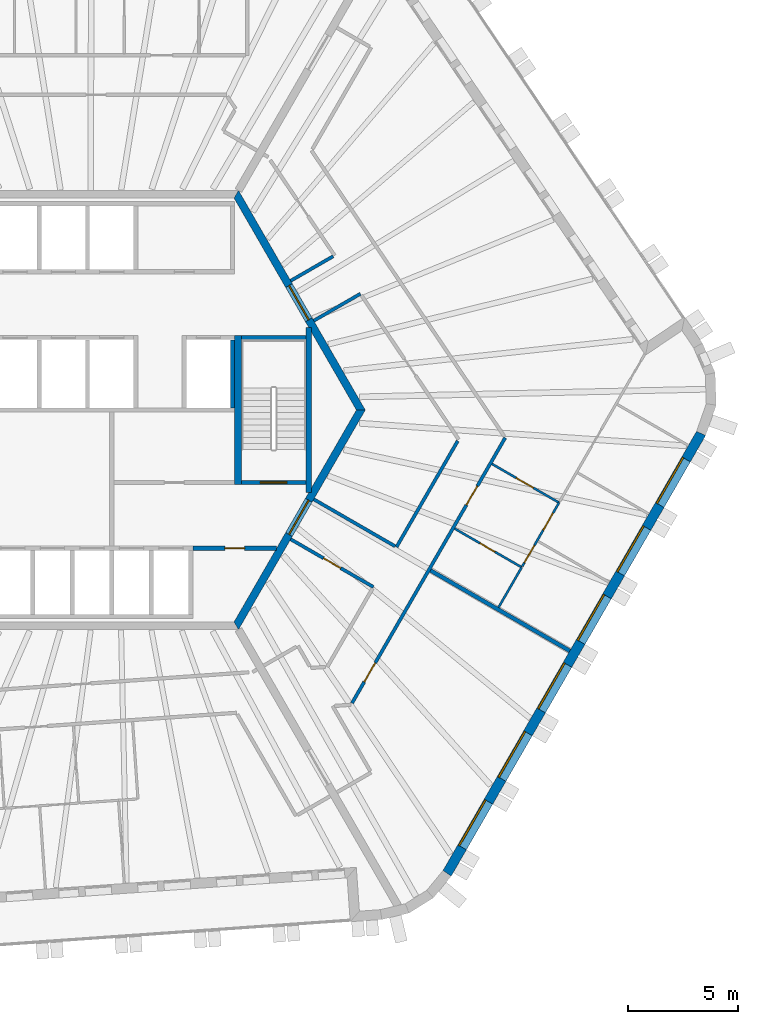
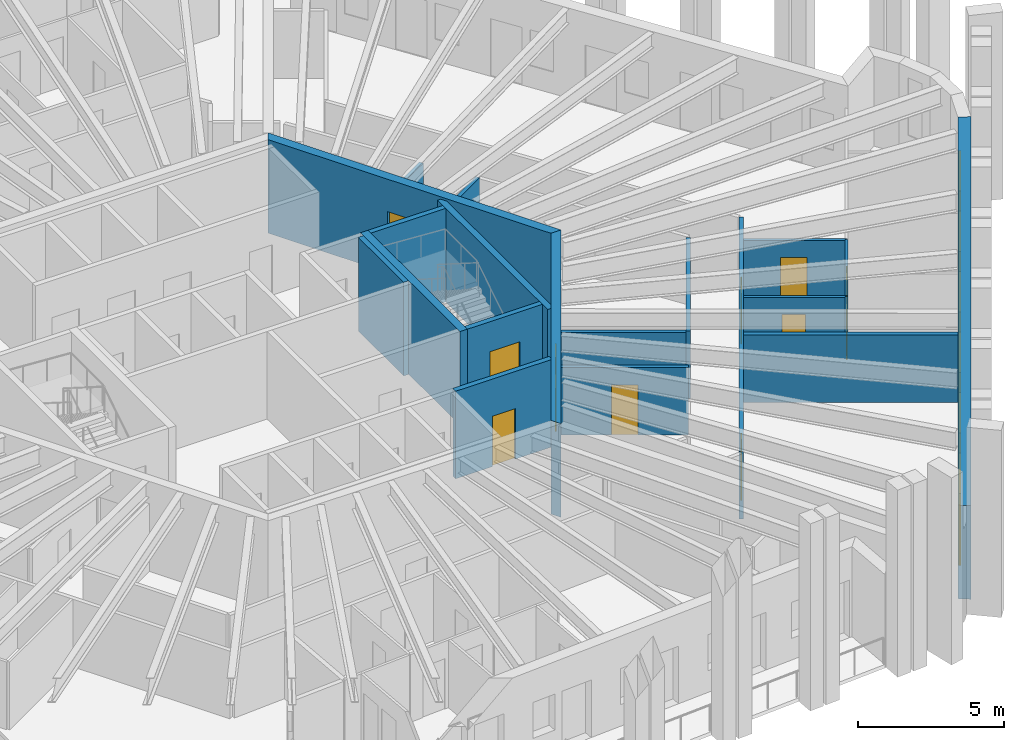
# One storey, part 6 of 12: 20 walls, 11 doors, 6 windows, 17 openings.
"""IFC4 building model written with IfcOpenShell, lengths in metres."""

from ifc_helpers import new_model, si_unit, direction, frame, frame_2d, origin, place, context, subcontext, project, spatial, polyline, rectangle, outline, extrude, material, layer, layer_set, type_object, element, fill, save


model = new_model("IFC4")

# Units and contexts
model_context = context("Model", 3, precision=1e-05, world=origin(), true_north=direction((0.0, 1.0)))
body_context = subcontext(model_context, "Body", "Model", "MODEL_VIEW")
ifc_project = project(units=[si_unit("LENGTHUNIT", "METRE"), si_unit("AREAUNIT", "SQUARE_METRE"), si_unit("VOLUMEUNIT", "CUBIC_METRE"), si_unit("PLANEANGLEUNIT", "RADIAN"), si_unit("MASSUNIT", "GRAM", prefix="KILO")], contexts=[model_context])

# Site, building, storey
site_placement = place(None, origin())
site = spatial("IfcSite", under=ifc_project, at=site_placement, CompositionType="ELEMENT")
building_placement = place(site_placement, origin())
building = spatial("IfcBuilding", under=site, at=building_placement, Name="Tarnside Tower", CompositionType="ELEMENT")
storey_placement = place(building_placement, frame((0.0, 0.0, 361.199951171875)))
storey = spatial("IfcBuildingStorey", under=building, at=storey_placement, Name="L87", CompositionType="ELEMENT", Elevation=361.199951171875)

# Wall, opening, door
ifc_material_1 = material(Name="Gypsum board partition on steel studs", Category="steel")
ifc_layer_1 = layer(ifc_material_1, 0.10009765625)
ifc_layer_set_1 = layer_set([ifc_layer_1], Name="Bathroom wall 100")
wall_type_1 = type_object("IfcWallType", Name="Bathroom wall 100", PredefinedType="PARTITIONING", material=ifc_layer_set_1)
wall_1_placement = place(storey_placement, frame((15.6171875, -5.400390625, 0.0), z_axis=(0.0, 0.0, 1.0), x_axis=(0.866031034943, -0.499990246421, 0.0)))
wall_1 = element("IfcWall", 1, at=wall_1_placement, inside=storey, type_object=wall_type_1, Name="Bathroom wall 28133", PredefinedType="PARTITIONING", context=body_context, shape_type="SweptSolid", body=[
    extrude(rectangle(XDim=3.52490234375, YDim=0.10009765625, at=frame_2d((1.762451171875, 0.0))), origin(), (0.0, 0.0, 1.0), 2.820068359375),
])
opening_1_placement = place(wall_1_placement, frame((1.324951171875, 0.0, 0.0)))
opening_1 = element("IfcOpeningElement", 2, at=opening_1_placement, cuts=wall_1, Name="Opening D-B1", PredefinedType="OPENING", context=body_context, shape_type="SweptSolid", body=[
    extrude(rectangle(XDim=0.800048828125, YDim=2.10009765625, at=frame_2d((0.39990234375, 1.050048828125))), frame((0.0, 0.06005859375, 0.0), z_axis=(0.0, -1.0, 0.0), x_axis=(1.0, 0.0, 0.0)), (0.0, 0.0, 1.0), 0.1201171875),
])
ifc_material_2 = material(Name="Timber door leaf", Category="wood")
door_type_1 = type_object("IfcDoorType", Name="Bathroom door 800", OperationType="NOTDEFINED", PredefinedType="DOOR", material=ifc_material_2)
door_1_placement = place(opening_1_placement, origin())
door_1 = element("IfcDoor", 3, at=door_1_placement, inside=storey, type_object=door_type_1, Name="Bathroom door 28054", OperationType="SINGLE_SWING_RIGHT", OverallHeight=2.10009765625, OverallWidth=0.800048828125, PredefinedType="DOOR", context=body_context, shape_type="SweptSolid", body=[
    extrude(rectangle(XDim=0.800048828125, YDim=2.10009765625, at=frame_2d((0.39990234375, 1.050048828125))), frame((0.0, 0.02490234375, 0.0), z_axis=(0.0, -1.0, 0.0), x_axis=(1.0, 0.0, 0.0)), (0.0, 0.0, 1.0), 0.050048828125),
])
fill(opening_1, door_1)

# Wall
wall_2_placement = place(storey_placement, frame((17.61474609375, -8.990234375, 0.0), z_axis=(0.0, 0.0, 1.0), x_axis=(0.500042633337, 0.866000788017, 0.0)))
element("IfcWall", 4, at=wall_2_placement, inside=storey, type_object=wall_type_1, Name="Bathroom wall 28136", PredefinedType="PARTITIONING", context=body_context, shape_type="SweptSolid", body=[
    extrude(rectangle(XDim=2.112060546875, YDim=0.10009765625, at=frame_2d((1.05615234375, 0.0))), origin(), (0.0, 0.0, 1.0), 2.820068359375),
])

# Wall, opening, door
ifc_material_3 = material(Name="Concrete C40/50", Category="concrete")
ifc_layer_2 = layer(ifc_material_3, 0.199951171875)
ifc_layer_set_2 = layer_set([ifc_layer_2], Name="Core room partition 200 C40/50")
wall_type_2 = type_object("IfcWallType", Name="Core room partition 200 C40/50", PredefinedType="PARTITIONING", material=ifc_layer_set_2)
wall_3_placement = place(storey_placement, frame((3.699951171875, -6.300048828125, 0.0), z_axis=(0.0, 0.0, 1.0), x_axis=(1.0, 0.0, 0.0)))
wall_3 = element("IfcWall", 5, at=wall_3_placement, inside=storey, type_object=wall_type_2, Name="L87 core partition R4X", PredefinedType="PARTITIONING", context=body_context, shape_type="SweptSolid", body=[
    extrude(rectangle(XDim=3.8056640625, YDim=0.199951171875, at=frame_2d((1.90283203125, 0.0))), origin(), (0.0, 0.0, 1.0), 3.650146484375),
])
opening_2_placement = place(wall_3_placement, frame((1.452880859375, 0.0, 0.0)))
opening_2 = element("IfcOpeningElement", 6, at=opening_2_placement, cuts=wall_3, Name="Opening CD-room", PredefinedType="OPENING", context=body_context, shape_type="SweptSolid", body=[
    extrude(rectangle(XDim=0.89990234375, YDim=2.10009765625, at=frame_2d((0.449951171875, 1.050048828125))), frame((0.0, 0.10986328125, 0.0), z_axis=(0.0, -1.0, 0.0), x_axis=(1.0, 0.0, 0.0)), (0.0, 0.0, 1.0), 0.219970703125),
])
ifc_material_4 = material(Name="Steel fire door", Category="steel")
door_type_2 = type_object("IfcDoorType", Name="Room door FD60 900x2100", OperationType="NOTDEFINED", PredefinedType="DOOR", material=ifc_material_4)
door_2_placement = place(opening_2_placement, origin())
door_2 = element("IfcDoor", 7, at=door_2_placement, inside=storey, type_object=door_type_2, Name="L87 core room door RX", OperationType="SINGLE_SWING_LEFT", OverallHeight=2.10009765625, OverallWidth=0.89990234375, PredefinedType="DOOR", context=body_context, shape_type="SweptSolid", body=[
    extrude(rectangle(XDim=0.89990234375, YDim=2.10009765625, at=frame_2d((0.449951171875, 1.050048828125))), frame((0.0, 0.02490234375, 0.0), z_axis=(0.0, -1.0, 0.0), x_axis=(1.0, 0.0, 0.0)), (0.0, 0.0, 1.0), 0.050048828125),
])
fill(opening_2, door_2)

ifc_material_5 = material(Name="Concrete C50/60", Category="concrete")
ifc_layer_3 = layer(ifc_material_5, 0.35009765625)
ifc_layer_set_3 = layer_set([ifc_layer_3], Name="Core wall Z4 350 C50/60")
wall_type_3 = type_object("IfcWallType", Name="Core wall Z4 350 C50/60", PredefinedType="SHEAR", material=ifc_layer_set_3)
wall_4_placement = place(storey_placement, frame((5.672607421875, -9.824951171875, -0.14990234375), z_axis=(0.0, 0.0, 1.0), x_axis=(0.499995046907, 0.866028263435, 0.0)))
wall_4 = element("IfcWall", 8, at=wall_4_placement, inside=storey, type_object=wall_type_3, Name="L87 core wall face 5", PredefinedType="SHEAR", context=body_context, shape_type="SweptSolid", body=[
    extrude(outline(polyline([(-0.10107421875, -0.175048828125), (11.44580078125, -0.175048828125), (11.24365234375, 0.175048828125), (0.10107421875, 0.175048828125), (-0.10107421875, -0.175048828125)])), origin(), (0.0, 0.0, 1.0), 3.89990234375),
])
opening_3_placement = place(wall_4_placement, frame((4.80126953125, 0.0, 0.14990234375)))
opening_3 = element("IfcOpeningElement", 9, at=opening_3_placement, cuts=wall_4, Name="Opening CD-FFL", PredefinedType="OPENING", context=body_context, shape_type="SweptSolid", body=[
    extrude(rectangle(XDim=1.800048828125, YDim=2.39990234375, at=frame_2d((0.89990234375, 1.199951171875))), frame((0.0, 0.18505859375, 0.0), z_axis=(0.0, -1.0, 0.0), x_axis=(1.0, 0.0, 0.0)), (0.0, 0.0, 1.0), 0.3701171875),
])
door_type_3 = type_object("IfcDoorType", Name="Firefighting lobby double door FD60S 1800x2400", OperationType="NOTDEFINED", PredefinedType="DOOR", material=ifc_material_4)
door_3_placement = place(opening_3_placement, origin())
door_3 = element("IfcDoor", 10, at=door_3_placement, inside=storey, type_object=door_type_3, Name="L87 core door P4", OperationType="DOUBLE_DOOR_SINGLE_SWING", OverallHeight=2.39990234375, OverallWidth=1.800048828125, PredefinedType="DOOR", context=body_context, shape_type="SweptSolid", body=[
    extrude(rectangle(XDim=1.800048828125, YDim=2.39990234375, at=frame_2d((0.89990234375, 1.199951171875))), frame((0.0, 0.02490234375, 0.0), z_axis=(0.0, -1.0, 0.0), x_axis=(1.0, 0.0, 0.0)), (0.0, 0.0, 1.0), 0.050048828125),
])
fill(opening_3, door_3)

wall_5_placement = place(storey_placement, frame((11.344970703125, 0.0, -0.14990234375), z_axis=(0.0, 0.0, 1.0), x_axis=(-0.499995046907, 0.866028263435, 0.0)))
wall_5 = element("IfcWall", 11, at=wall_5_placement, inside=storey, type_object=wall_type_3, Name="L87 core wall face 6", PredefinedType="SHEAR", context=body_context, shape_type="SweptSolid", body=[
    extrude(outline(polyline([(-0.10107421875, -0.175048828125), (11.44580078125, -0.175048828125), (11.24365234375, 0.175048828125), (0.10107421875, 0.175048828125), (-0.10107421875, -0.175048828125)])), origin(), (0.0, 0.0, 1.0), 3.89990234375),
])
opening_4_placement = place(wall_5_placement, frame((4.74365234375, 0.0, 0.14990234375)))
opening_4 = element("IfcOpeningElement", 12, at=opening_4_placement, cuts=wall_5, Name="Opening CD-LOB", PredefinedType="OPENING", context=body_context, shape_type="SweptSolid", body=[
    extrude(rectangle(XDim=1.800048828125, YDim=2.39990234375, at=frame_2d((0.89990234375, 1.199951171875))), frame((0.0, 0.18505859375, 0.0), z_axis=(0.0, -1.0, 0.0), x_axis=(1.0, 0.0, 0.0)), (0.0, 0.0, 1.0), 0.3701171875),
])
door_type_4 = type_object("IfcDoorType", Name="Lobby double door FD30S 1800x2400", OperationType="NOTDEFINED", PredefinedType="DOOR", material=ifc_material_4)
door_4_placement = place(opening_4_placement, origin())
door_4 = element("IfcDoor", 13, at=door_4_placement, inside=storey, type_object=door_type_4, Name="L87 core door P2", OperationType="DOUBLE_DOOR_SINGLE_SWING", OverallHeight=2.39990234375, OverallWidth=1.800048828125, PredefinedType="DOOR", context=body_context, shape_type="SweptSolid", body=[
    extrude(rectangle(XDim=1.800048828125, YDim=2.39990234375, at=frame_2d((0.89990234375, 1.199951171875))), frame((0.0, 0.02490234375, 0.0), z_axis=(0.0, -1.0, 0.0), x_axis=(1.0, 0.0, 0.0)), (0.0, 0.0, 1.0), 0.050048828125),
])
fill(opening_4, door_4)

# Wall, openings, doors
ifc_layer_4 = layer(ifc_material_1, 0.14990234375)
ifc_layer_set_4 = layer_set([ifc_layer_4], Name="Corridor wall 150 EI 60")
wall_type_4 = type_object("IfcWallType", Name="Corridor wall 150 EI 60", PredefinedType="PARTITIONING", material=ifc_layer_set_4)
wall_6_placement = place(storey_placement, frame((10.944091796875, -13.343994140625, 0.0), z_axis=(0.0, 0.0, 1.0), x_axis=(0.500003210163, 0.866023550388, 0.0)))
wall_6 = element("IfcWall", 14, at=wall_6_placement, inside=storey, type_object=wall_type_4, Name="Corridor wall 28052", PredefinedType="PARTITIONING", context=body_context, shape_type="SweptSolid", body=[
    extrude(rectangle(XDim=13.95068359375, YDim=0.14990234375, at=frame_2d((6.975341796875, 0.0))), origin(), (0.0, 0.0, 1.0), 2.820068359375),
])
opening_5_placement = place(wall_6_placement, frame((1.11572265625, 0.0, 0.0)))
opening_5 = element("IfcOpeningElement", 15, at=opening_5_placement, cuts=wall_6, Name="Opening D-E1", PredefinedType="OPENING", context=body_context, shape_type="SweptSolid", body=[
    extrude(rectangle(XDim=1.0, YDim=2.10009765625, at=frame_2d((0.5, 1.050048828125))), frame((0.0, 0.0849609375, 0.0), z_axis=(0.0, -1.0, 0.0), x_axis=(1.0, 0.0, 0.0)), (0.0, 0.0, 1.0), 0.169921875),
])
opening_6_placement = place(wall_6_placement, frame((10.415771484375, 0.0, 0.0)))
opening_6 = element("IfcOpeningElement", 16, at=opening_6_placement, cuts=wall_6, Name="Opening D-E1", PredefinedType="OPENING", context=body_context, shape_type="SweptSolid", body=[
    extrude(rectangle(XDim=1.0, YDim=2.10009765625, at=frame_2d((0.5, 1.050048828125))), frame((0.0, 0.0849609375, 0.0), z_axis=(0.0, -1.0, 0.0), x_axis=(1.0, 0.0, 0.0)), (0.0, 0.0, 1.0), 0.169921875),
])
door_type_5 = type_object("IfcDoorType", Name="Unit entrance door 1000 FD30S", OperationType="NOTDEFINED", PredefinedType="DOOR", material=ifc_material_2)
door_5_placement = place(opening_5_placement, origin())
door_5 = element("IfcDoor", 17, at=door_5_placement, inside=storey, type_object=door_type_5, Name="Unit door 28052", OperationType="SINGLE_SWING_RIGHT", OverallHeight=2.10009765625, OverallWidth=1.0, PredefinedType="DOOR", context=body_context, shape_type="SweptSolid", body=[
    extrude(rectangle(XDim=1.0, YDim=2.10009765625, at=frame_2d((0.5, 1.050048828125))), frame((0.0, 0.02490234375, 0.0), z_axis=(0.0, -1.0, 0.0), x_axis=(1.0, 0.0, 0.0)), (0.0, 0.0, 1.0), 0.050048828125),
])
fill(opening_5, door_5)
door_6_placement = place(opening_6_placement, origin())
door_6 = element("IfcDoor", 18, at=door_6_placement, inside=storey, type_object=door_type_5, Name="Unit door 28053", OperationType="SINGLE_SWING_RIGHT", OverallHeight=2.10009765625, OverallWidth=1.0, PredefinedType="DOOR", context=body_context, shape_type="SweptSolid", body=[
    extrude(rectangle(XDim=1.0, YDim=2.10009765625, at=frame_2d((0.5, 1.050048828125))), frame((0.0, 0.02490234375, 0.0), z_axis=(0.0, -1.0, 0.0), x_axis=(1.0, 0.0, 0.0)), (0.0, 0.0, 1.0), 0.050048828125),
])
fill(opening_6, door_6)

# Walls
wall_7_placement = place(storey_placement, frame((9.19970703125, 4.065673828125, 0.0), z_axis=(0.0, 0.0, 1.0), x_axis=(0.866038240688, 0.499977765172, 0.0)))
element("IfcWall", 19, at=wall_7_placement, inside=storey, type_object=wall_type_4, Name="Corridor wall 28059", PredefinedType="PARTITIONING", context=body_context, shape_type="SweptSolid", body=[
    extrude(rectangle(XDim=2.45556640625, YDim=0.14990234375, at=frame_2d((1.227783203125, 0.0))), origin(), (0.0, 0.0, 1.0), 2.820068359375),
])
wall_8_placement = place(storey_placement, frame((15.756591796875, -1.40869140625, 0.0), z_axis=(0.0, 0.0, 1.0), x_axis=(-0.500002739321, -0.866023822231, 0.0)))
element("IfcWall", 20, at=wall_8_placement, inside=storey, type_object=wall_type_4, Name="Corridor wall 28061", PredefinedType="PARTITIONING", context=body_context, shape_type="SweptSolid", body=[
    extrude(rectangle(XDim=5.57958984375, YDim=0.14990234375, at=frame_2d((2.789794921875, 0.0))), origin(), (0.0, 0.0, 1.0), 2.820068359375),
])
wall_9_placement = place(storey_placement, frame((12.90185546875, -6.203125, 0.0), z_axis=(0.0, 0.0, 1.0), x_axis=(-0.866023907196, 0.500002592159, 0.0)))
element("IfcWall", 21, at=wall_9_placement, inside=storey, type_object=wall_type_4, Name="Corridor wall 28062", PredefinedType="PARTITIONING", context=body_context, shape_type="SweptSolid", body=[
    extrude(rectangle(XDim=4.27490234375, YDim=0.14990234375, at=frame_2d((2.137451171875, 0.0))), origin(), (0.0, 0.0, 1.0), 2.820068359375),
])

# Wall, opening, door
wall_10_placement = place(storey_placement, frame((8.149658203125, -5.88427734375, 0.0), z_axis=(0.0, 0.0, 1.0), x_axis=(0.866027639635, -0.499996127374, 0.0)))
wall_10 = element("IfcWall", 22, at=wall_10_placement, inside=storey, type_object=wall_type_4, Name="Corridor wall 28063", PredefinedType="PARTITIONING", context=body_context, shape_type="SweptSolid", body=[
    extrude(rectangle(XDim=4.35009765625, YDim=0.14990234375, at=frame_2d((2.175048828125, 0.0))), origin(), (0.0, 0.0, 1.0), 2.820068359375),
])
opening_7_placement = place(wall_10_placement, frame((1.72509765625, 0.0, 0.0)))
opening_7 = element("IfcOpeningElement", 23, at=opening_7_placement, cuts=wall_10, Name="Opening D-S1", PredefinedType="OPENING", context=body_context, shape_type="SweptSolid", body=[
    extrude(rectangle(XDim=0.89990234375, YDim=2.10009765625, at=frame_2d((0.449951171875, 1.050048828125))), frame((0.0, 0.0849609375, 0.0), z_axis=(0.0, -1.0, 0.0), x_axis=(1.0, 0.0, 0.0)), (0.0, 0.0, 1.0), 0.169921875),
])
door_type_6 = type_object("IfcDoorType", Name="Service room door 900 FD30S", OperationType="NOTDEFINED", PredefinedType="DOOR", material=ifc_material_2)
door_7_placement = place(opening_7_placement, origin())
door_7 = element("IfcDoor", 24, at=door_7_placement, inside=storey, type_object=door_type_6, Name="Service door 28068", OperationType="SINGLE_SWING_LEFT", OverallHeight=2.10009765625, OverallWidth=0.89990234375, PredefinedType="DOOR", context=body_context, shape_type="SweptSolid", body=[
    extrude(rectangle(XDim=0.89990234375, YDim=2.10009765625, at=frame_2d((0.449951171875, 1.050048828125))), frame((0.0, 0.02490234375, 0.0), z_axis=(0.0, -1.0, 0.0), x_axis=(1.0, 0.0, 0.0)), (0.0, 0.0, 1.0), 0.050048828125),
])
fill(opening_7, door_7)

# Walls
wall_11_placement = place(storey_placement, frame((10.083984375, 7.001220703125, 0.0), z_axis=(0.0, 0.0, 1.0), x_axis=(-0.865994457699, -0.500053596362, 0.0)))
element("IfcWall", 25, at=wall_11_placement, inside=storey, type_object=wall_type_4, Name="Corridor wall 28070", PredefinedType="PARTITIONING", context=body_context, shape_type="SweptSolid", body=[
    extrude(rectangle(XDim=2.233642578125, YDim=0.14990234375, at=frame_2d((1.11669921875, 0.0))), origin(), (0.0, 0.0, 1.0), 2.820068359375),
])
ifc_layer_5 = layer(ifc_material_1, 0.179931640625)
ifc_layer_set_5 = layer_set([ifc_layer_5], Name="Demising wall 180 EI 60")
wall_type_5 = type_object("IfcWallType", Name="Demising wall 180 EI 60", PredefinedType="PARTITIONING", material=ifc_layer_set_5)
wall_12_placement = place(storey_placement, frame((20.860595703125, -10.96826171875, 0.0), z_axis=(0.0, 0.0, 1.0), x_axis=(-0.866015186145, 0.500017697054, 0.0)))
element("IfcWall", 26, at=wall_12_placement, inside=storey, type_object=wall_type_5, Name="Demising wall 28127", PredefinedType="PARTITIONING", context=body_context, shape_type="SweptSolid", body=[
    extrude(rectangle(XDim=7.324951171875, YDim=0.179931640625, at=frame_2d((3.66259765625, 0.0))), origin(), (0.0, 0.0, 1.0), 2.820068359375),
])
ifc_layer_6 = layer(ifc_material_3, 0.199951171875)
ifc_layer_set_6 = layer_set([ifc_layer_6], Name="Lift shaft wall 200 C40/50")
wall_type_6 = type_object("IfcWallType", Name="Lift shaft wall 200 C40/50", PredefinedType="SHEAR", material=ifc_layer_set_6)
wall_13_placement = place(storey_placement, frame((5.5, 0.10009765625, -0.25), z_axis=(0.0, 0.0, 1.0), x_axis=(0.0, 1.0, 0.0)))
element("IfcWall", 27, at=wall_13_placement, inside=storey, type_object=wall_type_6, Name="L87 lift shaft partition R26", PredefinedType="SHEAR", context=body_context, shape_type="SweptSolid", body=[
    extrude(rectangle(XDim=3.099853515625, YDim=0.199951171875, at=frame_2d((1.5498046875, 0.0))), origin(), (0.0, 0.0, 1.0), 3.900146484375),
])
wall_14_placement = place(storey_placement, frame((5.89990234375, 3.300048828125, -0.25), z_axis=(0.0, 0.0, 1.0), x_axis=(1.0, 0.0, 0.0)))
element("IfcWall", 28, at=wall_14_placement, inside=storey, type_object=wall_type_6, Name="L87 stair 1 enclosure cap wall n", PredefinedType="SHEAR", context=body_context, shape_type="SweptSolid", body=[
    extrude(rectangle(XDim=2.9501953125, YDim=0.199951171875, at=frame_2d((1.47509765625, 0.0))), origin(), (0.0, 0.0, 1.0), 3.900146484375),
])

# Wall, opening, door
wall_15_placement = place(storey_placement, frame((5.89990234375, -3.300048828125, -0.25), z_axis=(0.0, 0.0, 1.0), x_axis=(1.0, 0.0, 0.0)))
wall_15 = element("IfcWall", 29, at=wall_15_placement, inside=storey, type_object=wall_type_6, Name="L87 stair 1 enclosure cap wall s", PredefinedType="SHEAR", context=body_context, shape_type="SweptSolid", body=[
    extrude(rectangle(XDim=2.9501953125, YDim=0.199951171875, at=frame_2d((1.47509765625, 0.0))), origin(), (0.0, 0.0, 1.0), 3.900146484375),
])
opening_8_placement = place(wall_15_placement, frame((0.875, 0.0, 0.25)))
opening_8 = element("IfcOpeningElement", 30, at=opening_8_placement, cuts=wall_15, Name="Opening CD-STR", PredefinedType="OPENING", context=body_context, shape_type="SweptSolid", body=[
    extrude(rectangle(XDim=1.199951171875, YDim=2.39990234375, at=frame_2d((0.60009765625, 1.199951171875))), frame((0.0, 0.10986328125, 0.0), z_axis=(0.0, -1.0, 0.0), x_axis=(1.0, 0.0, 0.0)), (0.0, 0.0, 1.0), 0.219970703125),
])
door_type_7 = type_object("IfcDoorType", Name="Stair door FD60S 1200x2400", OperationType="NOTDEFINED", PredefinedType="DOOR", material=ifc_material_4)
door_8_placement = place(opening_8_placement, origin())
door_8 = element("IfcDoor", 31, at=door_8_placement, inside=storey, type_object=door_type_7, Name="L87 stair 1 door", OperationType="SINGLE_SWING_LEFT", OverallHeight=2.39990234375, OverallWidth=1.199951171875, PredefinedType="DOOR", context=body_context, shape_type="SweptSolid", body=[
    extrude(rectangle(XDim=1.199951171875, YDim=2.39990234375, at=frame_2d((0.60009765625, 1.199951171875))), frame((0.0, 0.02490234375, 0.0), z_axis=(0.0, -1.0, 0.0), x_axis=(1.0, 0.0, 0.0)), (0.0, 0.0, 1.0), 0.050048828125),
])
fill(opening_8, door_8)

ifc_layer_7 = layer(ifc_material_1, 0.10009765625)
ifc_layer_set_7 = layer_set([ifc_layer_7], Name="Partition 100")
wall_type_7 = type_object("IfcWallType", Name="Partition 100", PredefinedType="PARTITIONING", material=ifc_layer_set_7)
wall_16_placement = place(storey_placement, frame((17.317138671875, -2.4560546875, 0.0), z_axis=(0.0, 0.0, 1.0), x_axis=(0.866031034943, -0.499990246421, 0.0)))
wall_16 = element("IfcWall", 32, at=wall_16_placement, inside=storey, type_object=wall_type_7, Name="Partition wall 28129", PredefinedType="PARTITIONING", context=body_context, shape_type="SweptSolid", body=[
    extrude(rectangle(XDim=3.52490234375, YDim=0.10009765625, at=frame_2d((1.762451171875, 0.0))), origin(), (0.0, 0.0, 1.0), 2.820068359375),
])
opening_9_placement = place(wall_16_placement, frame((1.27490234375, 0.0, 0.0)))
opening_9 = element("IfcOpeningElement", 33, at=opening_9_placement, cuts=wall_16, Name="Opening D-I1", PredefinedType="OPENING", context=body_context, shape_type="SweptSolid", body=[
    extrude(rectangle(XDim=0.89990234375, YDim=2.10009765625, at=frame_2d((0.449951171875, 1.050048828125))), frame((0.0, 0.06005859375, 0.0), z_axis=(0.0, -1.0, 0.0), x_axis=(1.0, 0.0, 0.0)), (0.0, 0.0, 1.0), 0.1201171875),
])
door_type_8 = type_object("IfcDoorType", Name="Internal door 900", OperationType="NOTDEFINED", PredefinedType="DOOR", material=ifc_material_2)
door_9_placement = place(opening_9_placement, origin())
door_9 = element("IfcDoor", 34, at=door_9_placement, inside=storey, type_object=door_type_8, Name="Internal door 28055", OperationType="SINGLE_SWING_RIGHT", OverallHeight=2.10009765625, OverallWidth=0.89990234375, PredefinedType="DOOR", context=body_context, shape_type="SweptSolid", body=[
    extrude(rectangle(XDim=0.89990234375, YDim=2.10009765625, at=frame_2d((0.449951171875, 1.050048828125))), frame((0.0, 0.02490234375, 0.0), z_axis=(0.0, -1.0, 0.0), x_axis=(1.0, 0.0, 0.0)), (0.0, 0.0, 1.0), 0.050048828125),
])
fill(opening_9, door_9)

# Wall, openings, doors
wall_17_placement = place(storey_placement, frame((18.69384765625, -7.121337890625, 0.0), z_axis=(0.0, 0.0, 1.0), x_axis=(0.500014404596, 0.866017087127, 0.0)))
wall_17 = element("IfcWall", 35, at=wall_17_placement, inside=storey, type_object=wall_type_7, Name="Partition wall 28134", PredefinedType="PARTITIONING", context=body_context, shape_type="SweptSolid", body=[
    extrude(rectangle(XDim=3.35400390625, YDim=0.10009765625, at=frame_2d((1.677001953125, 0.0))), origin(), (0.0, 0.0, 1.0), 2.820068359375),
])
opening_10_placement = place(wall_17_placement, frame((0.201904296875, 0.0, 0.0)))
opening_10 = element("IfcOpeningElement", 36, at=opening_10_placement, cuts=wall_17, Name="Opening D-I1", PredefinedType="OPENING", context=body_context, shape_type="SweptSolid", body=[
    extrude(rectangle(XDim=0.89990234375, YDim=2.10009765625, at=frame_2d((0.449951171875, 1.050048828125))), frame((0.0, 0.06005859375, 0.0), z_axis=(0.0, -1.0, 0.0), x_axis=(1.0, 0.0, 0.0)), (0.0, 0.0, 1.0), 0.1201171875),
])
opening_11_placement = place(wall_17_placement, frame((1.902099609375, 0.0, 0.0)))
opening_11 = element("IfcOpeningElement", 37, at=opening_11_placement, cuts=wall_17, Name="Opening D-I1", PredefinedType="OPENING", context=body_context, shape_type="SweptSolid", body=[
    extrude(rectangle(XDim=0.89990234375, YDim=2.10009765625, at=frame_2d((0.449951171875, 1.050048828125))), frame((0.0, 0.06005859375, 0.0), z_axis=(0.0, -1.0, 0.0), x_axis=(1.0, 0.0, 0.0)), (0.0, 0.0, 1.0), 0.1201171875),
])
door_10_placement = place(opening_10_placement, origin())
door_10 = element("IfcDoor", 38, at=door_10_placement, inside=storey, type_object=door_type_8, Name="Internal door 28056", OperationType="SINGLE_SWING_RIGHT", OverallHeight=2.10009765625, OverallWidth=0.89990234375, PredefinedType="DOOR", context=body_context, shape_type="SweptSolid", body=[
    extrude(rectangle(XDim=0.89990234375, YDim=2.10009765625, at=frame_2d((0.449951171875, 1.050048828125))), frame((0.0, 0.02490234375, 0.0), z_axis=(0.0, -1.0, 0.0), x_axis=(1.0, 0.0, 0.0)), (0.0, 0.0, 1.0), 0.050048828125),
])
fill(opening_10, door_10)
door_11_placement = place(opening_11_placement, origin())
door_11 = element("IfcDoor", 39, at=door_11_placement, inside=storey, type_object=door_type_8, Name="Internal door 28057", OperationType="SINGLE_SWING_LEFT", OverallHeight=2.10009765625, OverallWidth=0.89990234375, PredefinedType="DOOR", context=body_context, shape_type="SweptSolid", body=[
    extrude(rectangle(XDim=0.89990234375, YDim=2.10009765625, at=frame_2d((0.449951171875, 1.050048828125))), frame((0.0, 0.02490234375, 0.0), z_axis=(0.0, -1.0, 0.0), x_axis=(1.0, 0.0, 0.0)), (0.0, 0.0, 1.0), 0.050048828125),
])
fill(opening_11, door_11)

# Walls
ifc_layer_8 = layer(ifc_material_3, 0.25)
ifc_layer_set_8 = layer_set([ifc_layer_8], Name="Stair enclosure wall 250 C40/50")
wall_type_8 = type_object("IfcWallType", Name="Stair enclosure wall 250 C40/50", PredefinedType="SHEAR", material=ifc_layer_set_8)
wall_18_placement = place(storey_placement, frame((8.97509765625, -3.7548828125, -0.25), z_axis=(0.0, 0.0, 1.0), x_axis=(0.0, 1.0, 0.0)))
element("IfcWall", 40, at=wall_18_placement, inside=storey, type_object=wall_type_8, Name="L87 stair 1 enclosure wall outer", PredefinedType="SHEAR", context=body_context, shape_type="SweptSolid", body=[
    extrude(rectangle(XDim=7.509765625, YDim=0.25, at=frame_2d((3.7548828125, 0.0))), origin(), (0.0, 0.0, 1.0), 3.900146484375),
])
ifc_layer_9 = layer(ifc_material_3, 0.300048828125)
ifc_layer_set_9 = layer_set([ifc_layer_9], Name="Stair enclosure wall 300 C40/50")
wall_type_9 = type_object("IfcWallType", Name="Stair enclosure wall 300 C40/50", PredefinedType="SHEAR", material=ifc_layer_set_9)
wall_19_placement = place(storey_placement, frame((5.75, -3.39990234375, -0.25), z_axis=(0.0, 0.0, 1.0), x_axis=(0.0, 1.0, 0.0)))
element("IfcWall", 41, at=wall_19_placement, inside=storey, type_object=wall_type_9, Name="L87 stair 1 enclosure wall inner", PredefinedType="SHEAR", context=body_context, shape_type="SweptSolid", body=[
    extrude(rectangle(XDim=6.7998046875, YDim=0.300048828125, at=frame_2d((3.39990234375, 0.0))), origin(), (0.0, 0.0, 1.0), 3.900146484375),
])

# Wall, openings, windows
ifc_material_6 = material(Name="Facing brick", Category="masonry")
ifc_layer_10 = layer(ifc_material_6, 0.10205078125)
ifc_material_7 = material(Name="Concrete C60/75 precast", Category="concrete")
ifc_layer_11 = layer(ifc_material_7, 0.248046875)
ifc_material_8 = material(Name="Mineral wool insulation")
ifc_layer_12 = layer(ifc_material_8, 0.10009765625)
ifc_layer_set_10 = layer_set([ifc_layer_10, ifc_layer_11, ifc_layer_12], Name="Tube wall 450 brick faced")
wall_type_10 = type_object("IfcWallType", Name="Tube wall 450 brick faced", PredefinedType="SOLIDWALL", material=ifc_layer_set_10)
wall_20_placement = place(storey_placement, frame((15.272705078125, -21.096923828125, -0.14990234375), z_axis=(0.0, 0.0, 1.0), x_axis=(0.499997453958, 0.866026873738, 0.0)))
wall_20 = element("IfcWall", 42, at=wall_20_placement, inside=storey, type_object=wall_type_10, Name="Tube wall L87 F5 flush 24", PredefinedType="SOLIDWALL", context=body_context, shape_type="SweptSolid", body=[
    extrude(outline(polyline([(-0.018310546875, -0.22509765625), (23.15234375, -0.22509765625), (23.1103515625, 0.22509765625), (0.018310546875, 0.22509765625), (-0.018310546875, -0.22509765625)])), origin(), (0.0, 0.0, 1.0), 3.89990234375),
])
opening_12_placement = place(wall_20_placement, frame((1.36572265625, 0.0, 0.449951171875)))
opening_12 = element("IfcOpeningElement", 43, at=opening_12_placement, cuts=wall_20, Name="Opening WP", PredefinedType="OPENING", context=body_context, shape_type="SweptSolid", body=[
    extrude(rectangle(XDim=2.39990234375, YDim=3.0, at=frame_2d((1.199951171875, 1.5))), frame((0.0, 0.23486328125, 0.0), z_axis=(0.0, -1.0, 0.0), x_axis=(1.0, 0.0, 0.0)), (0.0, 0.0, 1.0), 0.469970703125),
])
opening_13_placement = place(wall_20_placement, frame((4.9658203125, 0.0, 0.449951171875)))
opening_13 = element("IfcOpeningElement", 44, at=opening_13_placement, cuts=wall_20, Name="Opening WP", PredefinedType="OPENING", context=body_context, shape_type="SweptSolid", body=[
    extrude(rectangle(XDim=2.39990234375, YDim=3.0, at=frame_2d((1.199951171875, 1.5))), frame((0.0, 0.23486328125, 0.0), z_axis=(0.0, -1.0, 0.0), x_axis=(1.0, 0.0, 0.0)), (0.0, 0.0, 1.0), 0.469970703125),
])
opening_14_placement = place(wall_20_placement, frame((8.56591796875, 0.0, 0.449951171875)))
opening_14 = element("IfcOpeningElement", 45, at=opening_14_placement, cuts=wall_20, Name="Opening WP", PredefinedType="OPENING", context=body_context, shape_type="SweptSolid", body=[
    extrude(rectangle(XDim=2.39990234375, YDim=3.0, at=frame_2d((1.199951171875, 1.5))), frame((0.0, 0.23486328125, 0.0), z_axis=(0.0, -1.0, 0.0), x_axis=(1.0, 0.0, 0.0)), (0.0, 0.0, 1.0), 0.469970703125),
])
opening_15_placement = place(wall_20_placement, frame((12.165771484375, 0.0, 0.449951171875)))
opening_15 = element("IfcOpeningElement", 46, at=opening_15_placement, cuts=wall_20, Name="Opening WP", PredefinedType="OPENING", context=body_context, shape_type="SweptSolid", body=[
    extrude(rectangle(XDim=2.39990234375, YDim=3.0, at=frame_2d((1.199951171875, 1.5))), frame((0.0, 0.23486328125, 0.0), z_axis=(0.0, -1.0, 0.0), x_axis=(1.0, 0.0, 0.0)), (0.0, 0.0, 1.0), 0.469970703125),
])
opening_16_placement = place(wall_20_placement, frame((15.765869140625, 0.0, 0.449951171875)))
opening_16 = element("IfcOpeningElement", 47, at=opening_16_placement, cuts=wall_20, Name="Opening WP", PredefinedType="OPENING", context=body_context, shape_type="SweptSolid", body=[
    extrude(rectangle(XDim=2.39990234375, YDim=3.0, at=frame_2d((1.199951171875, 1.5))), frame((0.0, 0.23486328125, 0.0), z_axis=(0.0, -1.0, 0.0), x_axis=(1.0, 0.0, 0.0)), (0.0, 0.0, 1.0), 0.469970703125),
])
opening_17_placement = place(wall_20_placement, frame((19.36572265625, 0.0, 0.449951171875)))
opening_17 = element("IfcOpeningElement", 48, at=opening_17_placement, cuts=wall_20, Name="Opening WP", PredefinedType="OPENING", context=body_context, shape_type="SweptSolid", body=[
    extrude(rectangle(XDim=2.39990234375, YDim=3.0, at=frame_2d((1.199951171875, 1.5))), frame((0.0, 0.23486328125, 0.0), z_axis=(0.0, -1.0, 0.0), x_axis=(1.0, 0.0, 0.0)), (0.0, 0.0, 1.0), 0.469970703125),
])
ifc_material_9 = material(Name="Aluminium-framed double glazing", Category="aluminium")
window_type = type_object("IfcWindowType", Name="Penthouse window 2400 x 3000", PartitioningType="DOUBLE_PANEL_VERTICAL", PredefinedType="WINDOW", material=ifc_material_9)
window_1_placement = place(opening_12_placement, frame((0.0, 0.1552734375, 0.0)))
window_1 = element("IfcWindow", 49, at=window_1_placement, inside=storey, type_object=window_type, Name="E.WN.L87.F5.00", OverallHeight=3.0, OverallWidth=2.39990234375, PartitioningType="DOUBLE_PANEL_VERTICAL", PredefinedType="WINDOW", context=body_context, shape_type="SweptSolid", body=[
    extrude(rectangle(XDim=2.39990234375, YDim=3.0, at=frame_2d((1.199951171875, 1.5))), frame((0.0, 0.030029296875, 0.0), z_axis=(0.0, -1.0, 0.0), x_axis=(1.0, 0.0, 0.0)), (0.0, 0.0, 1.0), 0.06005859375),
])
fill(opening_12, window_1)
window_2_placement = place(opening_13_placement, frame((0.0, 0.1552734375, 0.0)))
window_2 = element("IfcWindow", 50, at=window_2_placement, inside=storey, type_object=window_type, Name="E.WN.L87.F5.01", OverallHeight=3.0, OverallWidth=2.39990234375, PartitioningType="DOUBLE_PANEL_VERTICAL", PredefinedType="WINDOW", context=body_context, shape_type="SweptSolid", body=[
    extrude(rectangle(XDim=2.39990234375, YDim=3.0, at=frame_2d((1.199951171875, 1.5))), frame((0.0, 0.030029296875, 0.0), z_axis=(0.0, -1.0, 0.0), x_axis=(1.0, 0.0, 0.0)), (0.0, 0.0, 1.0), 0.06005859375),
])
fill(opening_13, window_2)
window_3_placement = place(opening_14_placement, frame((0.0, 0.1552734375, 0.0)))
window_3 = element("IfcWindow", 51, at=window_3_placement, inside=storey, type_object=window_type, Name="E.WN.L87.F5.02", OverallHeight=3.0, OverallWidth=2.39990234375, PartitioningType="DOUBLE_PANEL_VERTICAL", PredefinedType="WINDOW", context=body_context, shape_type="SweptSolid", body=[
    extrude(rectangle(XDim=2.39990234375, YDim=3.0, at=frame_2d((1.199951171875, 1.5))), frame((0.0, 0.030029296875, 0.0), z_axis=(0.0, -1.0, 0.0), x_axis=(1.0, 0.0, 0.0)), (0.0, 0.0, 1.0), 0.06005859375),
])
fill(opening_14, window_3)
window_4_placement = place(opening_15_placement, frame((0.0, 0.1552734375, 0.0)))
window_4 = element("IfcWindow", 52, at=window_4_placement, inside=storey, type_object=window_type, Name="E.WN.L87.F5.03", OverallHeight=3.0, OverallWidth=2.39990234375, PartitioningType="DOUBLE_PANEL_VERTICAL", PredefinedType="WINDOW", context=body_context, shape_type="SweptSolid", body=[
    extrude(rectangle(XDim=2.39990234375, YDim=3.0, at=frame_2d((1.199951171875, 1.5))), frame((0.0, 0.030029296875, 0.0), z_axis=(0.0, -1.0, 0.0), x_axis=(1.0, 0.0, 0.0)), (0.0, 0.0, 1.0), 0.06005859375),
])
fill(opening_15, window_4)
window_5_placement = place(opening_16_placement, frame((0.0, 0.1552734375, 0.0)))
window_5 = element("IfcWindow", 53, at=window_5_placement, inside=storey, type_object=window_type, Name="E.WN.L87.F5.04", OverallHeight=3.0, OverallWidth=2.39990234375, PartitioningType="DOUBLE_PANEL_VERTICAL", PredefinedType="WINDOW", context=body_context, shape_type="SweptSolid", body=[
    extrude(rectangle(XDim=2.39990234375, YDim=3.0, at=frame_2d((1.199951171875, 1.5))), frame((0.0, 0.030029296875, 0.0), z_axis=(0.0, -1.0, 0.0), x_axis=(1.0, 0.0, 0.0)), (0.0, 0.0, 1.0), 0.06005859375),
])
fill(opening_16, window_5)
window_6_placement = place(opening_17_placement, frame((0.0, 0.1552734375, 0.0)))
window_6 = element("IfcWindow", 54, at=window_6_placement, inside=storey, type_object=window_type, Name="E.WN.L87.F5.05", OverallHeight=3.0, OverallWidth=2.39990234375, PartitioningType="DOUBLE_PANEL_VERTICAL", PredefinedType="WINDOW", context=body_context, shape_type="SweptSolid", body=[
    extrude(rectangle(XDim=2.39990234375, YDim=3.0, at=frame_2d((1.199951171875, 1.5))), frame((0.0, 0.030029296875, 0.0), z_axis=(0.0, -1.0, 0.0), x_axis=(1.0, 0.0, 0.0)), (0.0, 0.0, 1.0), 0.06005859375),
])
fill(opening_17, window_6)

save(model, "model.ifc")
